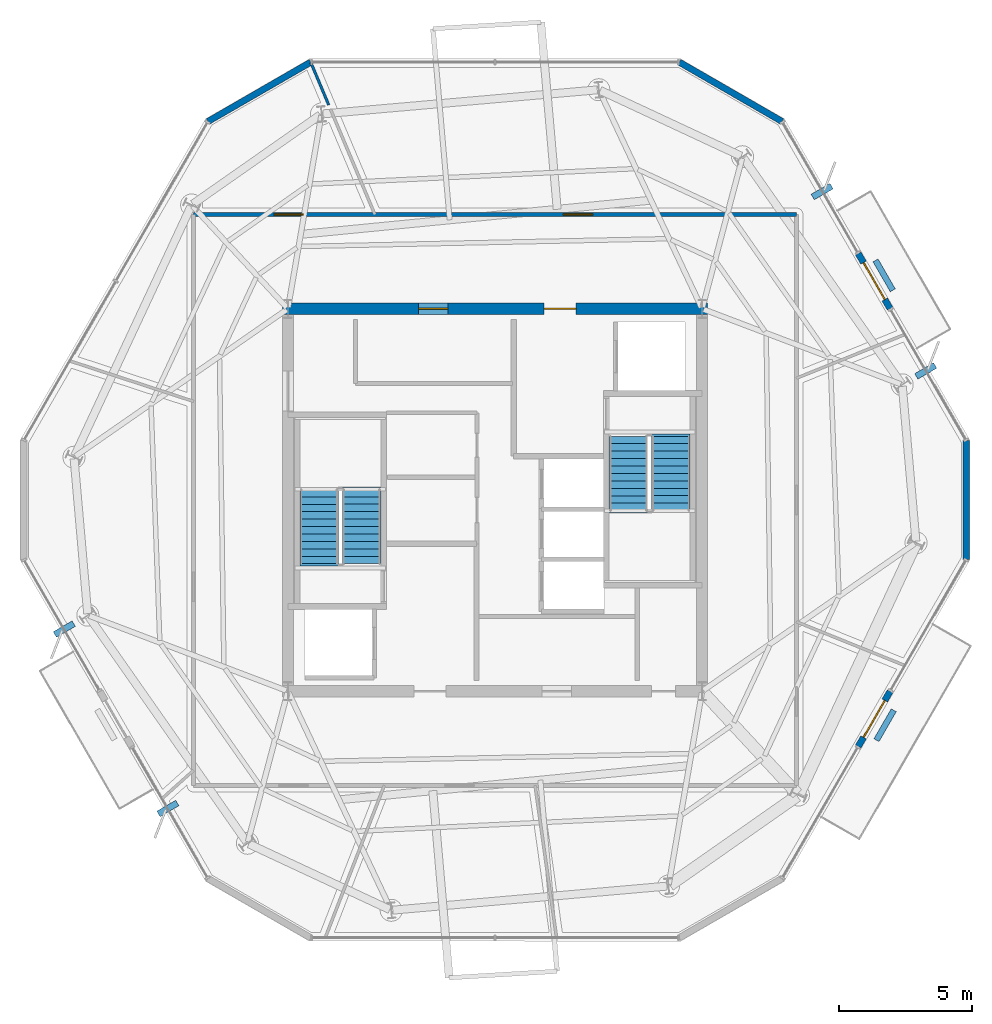
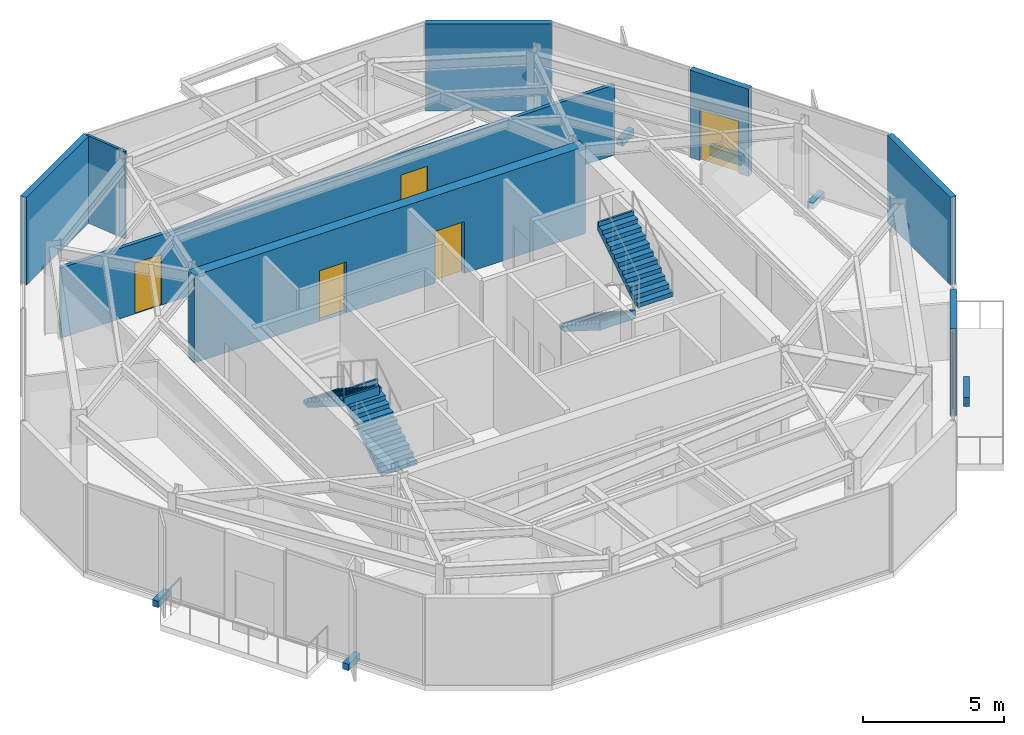
# One storey, part 7 of 11: 10 walls, 6 doors, 4 discrete accessories, 4 stair flights, 6 openings, 2 elements without a shape of their own.
"""IFC4 building model written with IfcOpenShell, lengths in metres."""

from ifc_helpers import new_model, si_unit, direction, frame, frame_2d, origin, origin_2d, place, context, subcontext, project, spatial, polyline, rectangle, outline, extrude, material, layer, layer_set, type_object, element, fill, aggregate, save


model = new_model("IFC4")

# Units and contexts
model_context = context("Model", 3, precision=1e-05, world=origin(), true_north=direction((0.0, 1.0)))
body_context = subcontext(model_context, "Body", "Model", "MODEL_VIEW")
ifc_project = project(units=[si_unit("LENGTHUNIT", "METRE"), si_unit("AREAUNIT", "SQUARE_METRE"), si_unit("VOLUMEUNIT", "CUBIC_METRE"), si_unit("PLANEANGLEUNIT", "RADIAN"), si_unit("MASSUNIT", "GRAM", prefix="KILO")], contexts=[model_context])

# Site, building, storey
site_placement = place(None, origin())
site = spatial("IfcSite", under=ifc_project, at=site_placement, CompositionType="ELEMENT")
building_placement = place(site_placement, origin())
building = spatial("IfcBuilding", under=site, at=building_placement, Name="Kranzbogen Civic Tower", CompositionType="ELEMENT")
storey_placement = place(building_placement, frame((0.0, 0.0, 266.199951171875)))
storey = spatial("IfcBuildingStorey", under=building, at=storey_placement, Name="L64", CompositionType="ELEMENT", Elevation=266.199951171875)

# Wall, openings, doors
ifc_material_1 = material(Name="Double-Stud Acoustic Gypsum Partition")
ifc_layer_1 = layer(ifc_material_1, 0.14990234375, Name="Double-Stud Acoustic Gypsum Partition")
ifc_layer_set_1 = layer_set([ifc_layer_1], Name="Double-Stud Acoustic Gypsum Partition")
wall_type_1 = type_object("IfcWallType", Name="Acoustic Corridor and Clinical Partition 150 mm", PredefinedType="PARTITIONING", material=ifc_layer_set_1)
wall_1_placement = place(storey_placement, frame((13.64990234375, 35.75, 0.0), z_axis=(0.0, 0.0, 1.0), x_axis=(1.0, 0.0, 0.0)))
wall_1 = element("IfcWall", 1, at=wall_1_placement, inside=storey, type_object=wall_type_1, Name="L64 corridor partition 01", PredefinedType="PARTITIONING", context=body_context, shape_type="SweptSolid", body=[
    extrude(rectangle(XDim=22.7001953125, YDim=0.14990234375, at=frame_2d((11.35009765625, 0.0))), origin(), (0.0, 0.0, 1.0), 3.050048828125),
])
opening_1_placement = place(wall_1_placement, frame((13.926025390625, 0.0, 0.0)))
opening_1 = element("IfcOpeningElement", 2, at=opening_1_placement, cuts=wall_1, Name="Opening D-COR60", PredefinedType="OPENING", context=body_context, shape_type="SweptSolid", body=[
    extrude(rectangle(XDim=1.10009765625, YDim=2.199951171875, at=frame_2d((0.550048828125, 1.10009765625))), frame((0.0, 0.0849609375, 0.0), z_axis=(0.0, -1.0, 0.0), x_axis=(1.0, 0.0, 0.0)), (0.0, 0.0, 1.0), 0.169921875),
])
opening_2_placement = place(wall_1_placement, frame((3.029052734375, 0.0, 0.0)))
opening_2 = element("IfcOpeningElement", 3, at=opening_2_placement, cuts=wall_1, Name="Opening D-COR60", PredefinedType="OPENING", context=body_context, shape_type="SweptSolid", body=[
    extrude(rectangle(XDim=1.10009765625, YDim=2.199951171875, at=frame_2d((0.550048828125, 1.10009765625))), frame((0.0, 0.0849609375, 0.0), z_axis=(0.0, -1.0, 0.0), x_axis=(1.0, 0.0, 0.0)), (0.0, 0.0, 1.0), 0.169921875),
])
ifc_material_2 = material(Name="Oak Timber and Fire Core", Category="wood")
door_type_1 = type_object("IfcDoorType", Name="Corridor Acoustic Fire Door 1100x2200", OperationType="NOTDEFINED", PredefinedType="DOOR", material=ifc_material_2)
door_1_placement = place(opening_1_placement, origin())
door_1 = element("IfcDoor", 4, at=door_1_placement, inside=storey, type_object=door_type_1, Name="L64 Refreshment Galley Pantry door", OperationType="SINGLE_SWING_LEFT", OverallHeight=2.199951171875, OverallWidth=1.10009765625, PredefinedType="DOOR", context=body_context, shape_type="SweptSolid", body=[
    extrude(rectangle(XDim=1.10009765625, YDim=2.199951171875, at=frame_2d((0.550048828125, 1.10009765625))), frame((0.0, 0.02490234375, 0.0), z_axis=(0.0, -1.0, 0.0), x_axis=(1.0, 0.0, 0.0)), (0.0, 0.0, 1.0), 0.050048828125),
])
fill(opening_1, door_1)
door_2_placement = place(opening_2_placement, origin())
door_2 = element("IfcDoor", 5, at=door_2_placement, inside=storey, type_object=door_type_1, Name="L64 Ministerial Policy Office door", OperationType="SINGLE_SWING_RIGHT", OverallHeight=2.199951171875, OverallWidth=1.10009765625, PredefinedType="DOOR", context=body_context, shape_type="SweptSolid", body=[
    extrude(rectangle(XDim=1.10009765625, YDim=2.199951171875, at=frame_2d((0.550048828125, 1.10009765625))), frame((0.0, 0.02490234375, 0.0), z_axis=(0.0, -1.0, 0.0), x_axis=(1.0, 0.0, 0.0)), (0.0, 0.0, 1.0), 0.050048828125),
])
fill(opening_2, door_2)

# Walls
ifc_material_3 = material(Name="Architectural Precast Terracotta Concrete C40/50", Category="masonry")
ifc_layer_2 = layer(ifc_material_3, 0.219970703125, Name="Architectural Precast Terracotta Concrete C40/50")
ifc_layer_set_2 = layer_set([ifc_layer_2], Name="Architectural Precast Terracotta Concrete C40/50")
wall_type_2 = type_object("IfcWallType", Name="Architectural Tree Planter Kerb Wall 220 mm", PredefinedType="USERDEFINED", material=ifc_layer_set_2)
for number, where, z_axis, x_axis, name in (
    (6, (39.97900390625, 32.89697265625, 0.0), (0.0, 0.0, 1.0), (-0.49989585183, 0.866085525409, 0.0), "L64 landscaped tree balcony planter L64-TB2"),
    (7, (39.364990234375, 15.955078125, 0.0), (0.0, 0.0, 1.0), (0.49989585183, 0.866085525409, 0.0), "L64 landscaped tree balcony planter L64-ST"),
):
    element("IfcWall", number, at=place(storey_placement, frame(where, z_axis=z_axis, x_axis=x_axis)), inside=storey, type_object=wall_type_2, Name=name, ObjectType="PLANTER_WALL", PredefinedType="USERDEFINED", context=body_context, shape_type="SweptSolid", body=[
        extrude(rectangle(XDim=1.300048828125, YDim=0.219970703125, at=frame_2d((0.64990234375, 0.0))), origin(), (0.0, 0.0, 1.0), 0.400146484375),
    ])

# Wall, openings, doors
ifc_material_4 = material(Name="Concrete C45/55", Category="concrete")
ifc_layer_3 = layer(ifc_material_4, 0.419921875, Name="Concrete C45/55")
ifc_layer_set_3 = layer_set([ifc_layer_3], Name="Concrete C45/55")
wall_type_3 = type_object("IfcWallType", Name="Central Core Shear Wall 420 mm", PredefinedType="SHEAR", material=ifc_layer_set_3)
wall_2_placement = place(storey_placement, frame((33.010009765625, 32.199951171875, 0.0), z_axis=(0.0, 0.0, 1.0), x_axis=(-1.0, 0.0, 0.0)))
wall_2 = element("IfcWall", 8, at=wall_2_placement, inside=storey, type_object=wall_type_3, Name="L64 central core North shear wall", PredefinedType="SHEAR", context=body_context, shape_type="SweptSolid", body=[
    extrude(rectangle(XDim=16.02001953125, YDim=0.419921875, at=frame_2d((8.010009765625, 0.0))), origin(), (0.0, 0.0, 1.0), 3.780029296875),
])
opening_3_placement = place(wall_2_placement, frame((4.9599609375, 0.0, 0.0)))
opening_3 = element("IfcOpeningElement", 9, at=opening_3_placement, cuts=wall_2, Name="Opening D-EX120", PredefinedType="OPENING", context=body_context, shape_type="SweptSolid", body=[
    extrude(rectangle(XDim=1.199951171875, YDim=2.25, at=frame_2d((0.60009765625, 1.125))), frame((0.0, 0.219970703125, 0.0), z_axis=(0.0, -1.0, 0.0), x_axis=(1.0, 0.0, 0.0)), (0.0, 0.0, 1.0), 0.43994140625),
])
opening_4_placement = place(wall_2_placement, frame((9.784912109375, 0.0, 0.0)))
opening_4 = element("IfcOpeningElement", 10, at=opening_4_placement, cuts=wall_2, Name="Opening D-COR60", PredefinedType="OPENING", context=body_context, shape_type="SweptSolid", body=[
    extrude(rectangle(XDim=1.10009765625, YDim=2.199951171875, at=frame_2d((0.550048828125, 1.10009765625))), frame((0.0, 0.219970703125, 0.0), z_axis=(0.0, -1.0, 0.0), x_axis=(1.0, 0.0, 0.0)), (0.0, 0.0, 1.0), 0.43994140625),
])
door_3_placement = place(opening_4_placement, origin())
door_3 = element("IfcDoor", 11, at=door_3_placement, inside=storey, type_object=door_type_1, Name="L64 DAT1 comms room door", OperationType="SINGLE_SWING_LEFT", OverallHeight=2.199951171875, OverallWidth=1.10009765625, PredefinedType="DOOR", context=body_context, shape_type="SweptSolid", body=[
    extrude(rectangle(XDim=1.10009765625, YDim=2.199951171875, at=frame_2d((0.550048828125, 1.10009765625))), frame((0.0, 0.02490234375, 0.0), z_axis=(0.0, -1.0, 0.0), x_axis=(1.0, 0.0, 0.0)), (0.0, 0.0, 1.0), 0.050048828125),
])
fill(opening_4, door_3)
ifc_material_5 = material(Name="Steel S355", Category="steel")
door_type_2 = type_object("IfcDoorType", Name="Exit Passageway Fire Door 1200x2250", OperationType="NOTDEFINED", PredefinedType="DOOR", material=ifc_material_5)
door_4_placement = place(opening_3_placement, origin())
door_4 = element("IfcDoor", 12, at=door_4_placement, inside=storey, type_object=door_type_2, Name="L64 East firefighting lobby corridor door", OperationType="SINGLE_SWING_RIGHT", OverallHeight=2.25, OverallWidth=1.199951171875, PredefinedType="DOOR", context=body_context, shape_type="SweptSolid", body=[
    extrude(rectangle(XDim=1.199951171875, YDim=2.25, at=frame_2d((0.60009765625, 1.125))), frame((0.0, 0.02490234375, 0.0), z_axis=(0.0, -1.0, 0.0), x_axis=(1.0, 0.0, 0.0)), (0.0, 0.0, 1.0), 0.050048828125),
])
fill(opening_3, door_4)

# Walls
ifc_material_6 = material(Name="Demountable Aluminium and Gypsum Partition", Category="aluminium")
ifc_layer_4 = layer(ifc_material_6, 0.10009765625, Name="Demountable Aluminium and Gypsum Partition")
ifc_layer_set_4 = layer_set([ifc_layer_4], Name="Demountable Aluminium and Gypsum Partition")
wall_type_4 = type_object("IfcWallType", Name="Demountable Office Partition 100 mm", PredefinedType="MOVABLE", material=ifc_layer_set_4)
wall_3_placement = place(storey_placement, frame((18.738037109375, 39.8759765625, 0.0), z_axis=(0.0, 0.0, 1.0), x_axis=(-0.388126329447, 0.921606180746, 0.0)))
element("IfcWall", 13, at=wall_3_placement, inside=storey, type_object=wall_type_4, Name="L64 radial room partition 01 part 2", PredefinedType="MOVABLE", context=body_context, shape_type="SweptSolid", body=[
    extrude(rectangle(XDim=1.731689453125, YDim=0.10009765625, at=frame_2d((0.86572265625, 0.0))), origin(), (0.0, 0.0, 1.0), 3.780029296875),
])
ifc_material_7 = material(Name="Pale Anodised Aluminium", Category="aluminium")
ifc_layer_5 = layer(ifc_material_7, 0.239990234375, Name="Pale Anodised Aluminium")
ifc_layer_set_5 = layer_set([ifc_layer_5], Name="Pale Anodised Aluminium")
wall_type_5 = type_object("IfcWallType", Name="Insulated Aluminium Facade Portal Wall 240 mm", PredefinedType="STANDARD", material=ifc_layer_set_5)
wall_4_placement = place(storey_placement, frame((18.05908203125, 41.488037109375, 0.0), z_axis=(0.0, 0.0, 1.0), x_axis=(-0.865983458261, -0.500072644742, 0.0)))
element("IfcWall", 14, at=wall_4_placement, inside=storey, type_object=wall_type_5, Name="L64 chamfered corner facade spandrel 1", PredefinedType="STANDARD", context=body_context, shape_type="SweptSolid", body=[
    extrude(rectangle(XDim=4.465576171875, YDim=0.239990234375, at=frame_2d((2.23291015625, 0.0))), origin(), (0.0, 0.0, 1.0), 3.780029296875),
])

# Wall, opening, door
wall_5_placement = place(storey_placement, frame((38.678955078125, 15.717041015625, 0.0), z_axis=(0.0, 0.0, 1.0), x_axis=(0.499913221443, 0.866075499611, 0.0)))
wall_5 = element("IfcWall", 15, at=wall_5_placement, inside=storey, type_object=wall_type_5, Name="L64 exterior entrance portal wall 1", PredefinedType="STANDARD", context=body_context, shape_type="SweptSolid", body=[
    extrude(rectangle(XDim=2.400390625, YDim=0.239990234375, at=frame_2d((1.2001953125, 0.0))), origin(), (0.0, 0.0, 1.0), 3.780029296875),
])
opening_5_placement = place(wall_5_placement, frame((0.39990234375, 0.0, 0.0)))
opening_5 = element("IfcOpeningElement", 16, at=opening_5_placement, cuts=wall_5, Name="Opening D-TER", PredefinedType="OPENING", context=body_context, shape_type="SweptSolid", body=[
    extrude(rectangle(XDim=1.60009765625, YDim=2.25, at=frame_2d((0.800048828125, 1.125))), frame((0.0, 0.1298828125, 0.0), z_axis=(0.0, -1.0, 0.0), x_axis=(1.0, 0.0, 0.0)), (0.0, 0.0, 1.0), 0.260009765625),
])
ifc_material_8 = material(Name="Anodised Bronze and Triple Glass", Category="glass")
door_type_3 = type_object("IfcDoorType", Name="Glazed Terrace and Balcony Double Door 1600x2250", OperationType="DOUBLE_DOOR_SINGLE_SWING", PredefinedType="DOOR", material=ifc_material_8)
door_5_placement = place(opening_5_placement, frame((1.60009765625, 0.0, 0.0), z_axis=(0.0, 0.0, 1.0), x_axis=(-1.0, 0.0, 0.0)))
door_5 = element("IfcDoor", 17, at=door_5_placement, inside=storey, type_object=door_type_3, Name="L64 spiral terrace access door L64-ST", OperationType="DOUBLE_DOOR_SINGLE_SWING", OverallHeight=2.25, OverallWidth=1.60009765625, PredefinedType="DOOR", context=body_context, shape_type="SweptSolid", body=[
    extrude(rectangle(XDim=1.60009765625, YDim=2.25, at=frame_2d((0.800048828125, 1.125))), frame((0.0, 0.02490234375, 0.0), z_axis=(0.0, -1.0, 0.0), x_axis=(1.0, 0.0, 0.0)), (0.0, 0.0, 1.0), 0.050048828125),
])
fill(opening_5, door_5)

# Wall
wall_6_placement = place(storey_placement, frame((42.7490234375, 22.76708984375, 0.0), z_axis=(0.0, 0.0, 1.0), x_axis=(0.0, 1.0, 0.0)))
element("IfcWall", 18, at=wall_6_placement, inside=storey, type_object=wall_type_5, Name="L64 chamfered corner facade spandrel 5", PredefinedType="STANDARD", context=body_context, shape_type="SweptSolid", body=[
    extrude(rectangle(XDim=4.4658203125, YDim=0.239990234375, at=frame_2d((2.23291015625, 0.0))), origin(), (0.0, 0.0, 1.0), 3.780029296875),
])

# Wall, opening, door
wall_7_placement = place(storey_placement, frame((39.87890625, 32.2041015625, 0.0), z_axis=(0.0, 0.0, 1.0), x_axis=(-0.499913221443, 0.866075499611, 0.0)))
wall_7 = element("IfcWall", 19, at=wall_7_placement, inside=storey, type_object=wall_type_5, Name="L64 exterior entrance portal wall 1", PredefinedType="STANDARD", context=body_context, shape_type="SweptSolid", body=[
    extrude(rectangle(XDim=2.400390625, YDim=0.239990234375, at=frame_2d((1.2001953125, 0.0))), origin(), (0.0, 0.0, 1.0), 3.780029296875),
])
opening_6_placement = place(wall_7_placement, frame((0.39990234375, 0.0, 0.0)))
opening_6 = element("IfcOpeningElement", 20, at=opening_6_placement, cuts=wall_7, Name="Opening D-TER", PredefinedType="OPENING", context=body_context, shape_type="SweptSolid", body=[
    extrude(rectangle(XDim=1.60009765625, YDim=2.25, at=frame_2d((0.800048828125, 1.125))), frame((0.0, 0.1298828125, 0.0), z_axis=(0.0, -1.0, 0.0), x_axis=(1.0, 0.0, 0.0)), (0.0, 0.0, 1.0), 0.260009765625),
])
door_6_placement = place(opening_6_placement, frame((1.60009765625, 0.0, 0.0), z_axis=(0.0, 0.0, 1.0), x_axis=(-1.0, 0.0, 0.0)))
door_6 = element("IfcDoor", 21, at=door_6_placement, inside=storey, type_object=door_type_3, Name="L64 tree balcony access door L64-TB2", OperationType="DOUBLE_DOOR_SINGLE_SWING", OverallHeight=2.25, OverallWidth=1.60009765625, PredefinedType="DOOR", context=body_context, shape_type="SweptSolid", body=[
    extrude(rectangle(XDim=1.60009765625, YDim=2.25, at=frame_2d((0.800048828125, 1.125))), frame((0.0, 0.02490234375, 0.0), z_axis=(0.0, -1.0, 0.0), x_axis=(1.0, 0.0, 0.0)), (0.0, 0.0, 1.0), 0.050048828125),
])
fill(opening_6, door_6)

# Wall
wall_8_placement = place(storey_placement, frame((35.80810546875, 39.2548828125, 0.0), z_axis=(0.0, 0.0, 1.0), x_axis=(-0.865983458261, 0.500072644742, 0.0)))
element("IfcWall", 22, at=wall_8_placement, inside=storey, type_object=wall_type_5, Name="L64 chamfered corner facade spandrel 6", PredefinedType="STANDARD", context=body_context, shape_type="SweptSolid", body=[
    extrude(rectangle(XDim=4.465576171875, YDim=0.239990234375, at=frame_2d((2.23291015625, 0.0))), origin(), (0.0, 0.0, 1.0), 3.780029296875),
])

# Stair, stair flights
ifc_material_9 = material(Name="Precast concrete C40/50", Category="concrete")
stair_type_1 = type_object("IfcStairType", Name="Tower Core Pressurized Dogleg Stair 1450", PredefinedType="HALF_TURN_STAIR", material=ifc_material_9)
stair_1_placement = place(storey_placement, origin())
stair_1 = element("IfcStair", 23, at=stair_1_placement, inside=storey, type_object=stair_type_1, Name="L64 Tower Core Pressurized Stair 1", PredefinedType="HALF_TURN_STAIR")
stair_flight_type = type_object("IfcStairFlightType", Name="Precast Concrete Stair Flight R180", PredefinedType="STRAIGHT", material=ifc_material_9)
stair_flight_1_placement = place(storey_placement, frame((19.97509765625, 22.60009765625, 0.0), z_axis=(0.0, 0.0, 1.0), x_axis=(0.0, 1.0, 0.0)))
stair_flight_1 = element("IfcStairFlight", 24, at=stair_flight_1_placement, type_object=stair_flight_type, Name="ST-T1 flight 1", NumberOfRisers=11, NumberOfTreads=10, PredefinedType="STRAIGHT", RiserHeight=0.181818182, TreadLength=0.28, context=body_context, shape_type="SweptSolid", body=[
    extrude(outline(polyline([(0.0, 0.0), (0.0, 0.181884765625), (0.280029296875, 0.181884765625), (0.280029296875, 0.363525390625), (0.56005859375, 0.363525390625), (0.56005859375, 0.54541015625), (0.840087890625, 0.54541015625), (0.840087890625, 0.727294921875), (1.1201171875, 0.727294921875), (1.1201171875, 0.9091796875), (1.39990234375, 0.9091796875), (1.39990234375, 1.0908203125), (1.679931640625, 1.0908203125), (1.679931640625, 1.272705078125), (1.9599609375, 1.272705078125), (1.9599609375, 1.45458984375), (2.239990234375, 1.45458984375), (2.239990234375, 1.636474609375), (2.52001953125, 1.636474609375), (2.52001953125, 1.818115234375), (2.800048828125, 1.818115234375), (2.800048828125, 2.0), (2.880126953125, 2.0), (2.880126953125, 1.639404296875), (0.275146484375, 0.0), (0.0, 0.0)])), frame((0.0, 0.72509765625, 0.0), z_axis=(0.0, -1.0, 0.0), x_axis=(1.0, 0.0, 0.0)), (0.0, 0.0, 1.0), 1.449951171875),
])
stair_flight_2_placement = place(storey_placement, frame((18.375, 25.39990234375, 2.0), z_axis=(0.0, 0.0, 1.0), x_axis=(0.0, -1.0, 0.0)))
stair_flight_2 = element("IfcStairFlight", 25, at=stair_flight_2_placement, type_object=stair_flight_type, Name="ST-T1 flight 2", NumberOfRisers=11, NumberOfTreads=10, PredefinedType="STRAIGHT", RiserHeight=0.181818182, TreadLength=0.28, context=body_context, shape_type="SweptSolid", body=[
    extrude(outline(polyline([(0.0, 0.0), (0.0, 0.181884765625), (0.280029296875, 0.181884765625), (0.280029296875, 0.363525390625), (0.56005859375, 0.363525390625), (0.56005859375, 0.54541015625), (0.840087890625, 0.54541015625), (0.840087890625, 0.727294921875), (1.1201171875, 0.727294921875), (1.1201171875, 0.9091796875), (1.39990234375, 0.9091796875), (1.39990234375, 1.0908203125), (1.679931640625, 1.0908203125), (1.679931640625, 1.272705078125), (1.9599609375, 1.272705078125), (1.9599609375, 1.45458984375), (2.239990234375, 1.45458984375), (2.239990234375, 1.636474609375), (2.52001953125, 1.636474609375), (2.52001953125, 1.818115234375), (2.800048828125, 1.818115234375), (2.800048828125, 2.0), (2.880126953125, 2.0), (2.880126953125, 1.639404296875), (0.275146484375, 0.0), (0.0, 0.0)])), frame((0.0, 0.72509765625, 0.0), z_axis=(0.0, -1.0, 0.0), x_axis=(1.0, 0.0, 0.0)), (0.0, 0.0, 1.0), 1.449951171875),
])
aggregate(stair_1, [stair_flight_1, stair_flight_2])

stair_type_2 = type_object("IfcStairType", Name="Tower Core Secondary Dogleg Stair 1450", PredefinedType="HALF_TURN_STAIR", material=ifc_material_9)
stair_2_placement = place(storey_placement, origin())
stair_2 = element("IfcStair", 26, at=stair_2_placement, inside=storey, type_object=stair_type_2, Name="L64 Tower Core Pressurized Stair 2", PredefinedType="HALF_TURN_STAIR")
stair_flight_3_placement = place(storey_placement, frame((30.02490234375, 27.39990234375, 0.0), z_axis=(0.0, 0.0, 1.0), x_axis=(0.0, -1.0, 0.0)))
stair_flight_3 = element("IfcStairFlight", 27, at=stair_flight_3_placement, type_object=stair_flight_type, Name="ST-T2 flight 1", NumberOfRisers=11, NumberOfTreads=10, PredefinedType="STRAIGHT", RiserHeight=0.181818182, TreadLength=0.28, context=body_context, shape_type="SweptSolid", body=[
    extrude(outline(polyline([(0.0, 0.0), (0.0, 0.181884765625), (0.280029296875, 0.181884765625), (0.280029296875, 0.363525390625), (0.56005859375, 0.363525390625), (0.56005859375, 0.54541015625), (0.840087890625, 0.54541015625), (0.840087890625, 0.727294921875), (1.1201171875, 0.727294921875), (1.1201171875, 0.9091796875), (1.39990234375, 0.9091796875), (1.39990234375, 1.0908203125), (1.679931640625, 1.0908203125), (1.679931640625, 1.272705078125), (1.9599609375, 1.272705078125), (1.9599609375, 1.45458984375), (2.239990234375, 1.45458984375), (2.239990234375, 1.636474609375), (2.52001953125, 1.636474609375), (2.52001953125, 1.818115234375), (2.800048828125, 1.818115234375), (2.800048828125, 2.0), (2.880126953125, 2.0), (2.880126953125, 1.639404296875), (0.275146484375, 0.0), (0.0, 0.0)])), frame((0.0, 0.72509765625, 0.0), z_axis=(0.0, -1.0, 0.0), x_axis=(1.0, 0.0, 0.0)), (0.0, 0.0, 1.0), 1.449951171875),
])
stair_flight_4_placement = place(storey_placement, frame((31.625, 24.60009765625, 2.0), z_axis=(0.0, 0.0, 1.0), x_axis=(0.0, 1.0, 0.0)))
stair_flight_4 = element("IfcStairFlight", 28, at=stair_flight_4_placement, type_object=stair_flight_type, Name="ST-T2 flight 2", NumberOfRisers=11, NumberOfTreads=10, PredefinedType="STRAIGHT", RiserHeight=0.181818182, TreadLength=0.28, context=body_context, shape_type="SweptSolid", body=[
    extrude(outline(polyline([(0.0, 0.0), (0.0, 0.181884765625), (0.280029296875, 0.181884765625), (0.280029296875, 0.363525390625), (0.56005859375, 0.363525390625), (0.56005859375, 0.54541015625), (0.840087890625, 0.54541015625), (0.840087890625, 0.727294921875), (1.1201171875, 0.727294921875), (1.1201171875, 0.9091796875), (1.39990234375, 0.9091796875), (1.39990234375, 1.0908203125), (1.679931640625, 1.0908203125), (1.679931640625, 1.272705078125), (1.9599609375, 1.272705078125), (1.9599609375, 1.45458984375), (2.239990234375, 1.45458984375), (2.239990234375, 1.636474609375), (2.52001953125, 1.636474609375), (2.52001953125, 1.818115234375), (2.800048828125, 1.818115234375), (2.800048828125, 2.0), (2.880126953125, 2.0), (2.880126953125, 1.639404296875), (0.275146484375, 0.0), (0.0, 0.0)])), frame((0.0, 0.72509765625, 0.0), z_axis=(0.0, -1.0, 0.0), x_axis=(1.0, 0.0, 0.0)), (0.0, 0.0, 1.0), 1.449951171875),
])
aggregate(stair_2, [stair_flight_3, stair_flight_4])

# Discrete accessories
discrete_accessory_type = type_object("IfcDiscreteAccessoryType", Name="Structural Curtain-Wall Fin Support Bracket", PredefinedType="BRACKET", material=ifc_material_5)
for number, where, z_axis, x_axis, name in (
    (29, (8.781005859375, 20.138916015625, -0.25), (0.0, 0.0, 1.0), (-0.866025403784, -0.5, 0.0), "L64 facade fin support bracket F3-1"),
    (30, (12.680908203125, 13.384033203125, -0.25), (0.0, 0.0, 1.0), (-0.866025403784, -0.5, 0.0), "L64 facade fin support bracket F3-4"),
    (31, (41.218994140625, 29.861083984375, -0.25), (0.0, 0.0, 1.0), (0.866025403784, 0.5, 0.0), "L64 facade fin support bracket F6-1"),
    (32, (37.319091796875, 36.615966796875, -0.25), (0.0, 0.0, 1.0), (0.866025403784, 0.5, 0.0), "L64 facade fin support bracket F6-4"),
):
    element("IfcDiscreteAccessory", number, at=place(storey_placement, frame(where, z_axis=z_axis, x_axis=x_axis)), inside=storey, type_object=discrete_accessory_type, Name=name, PredefinedType="BRACKET", context=body_context, shape_type="SweptSolid", body=[
        extrude(rectangle(XDim=0.820068359375, YDim=0.239990234375, at=origin_2d()), origin(), (0.0, 0.0, 1.0), 0.280029296875),
    ])

save(model, "model.ifc")
